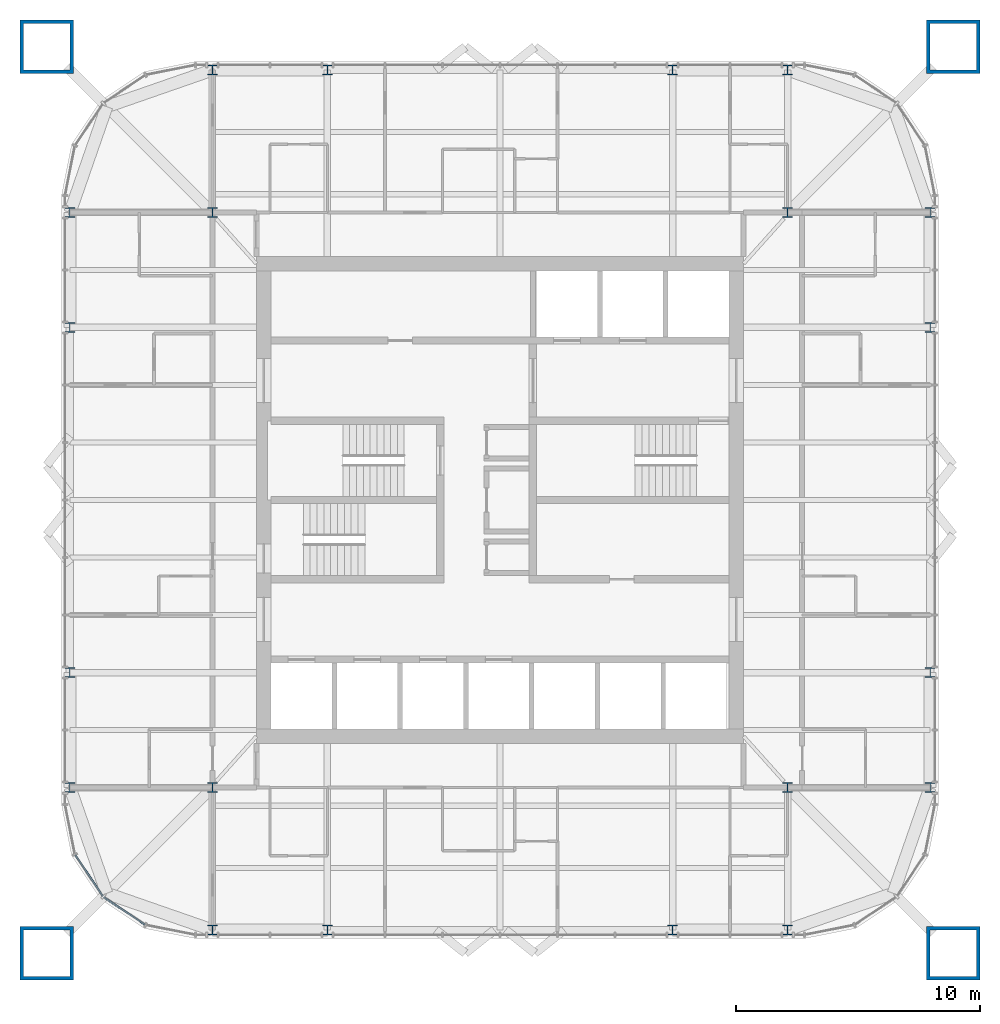
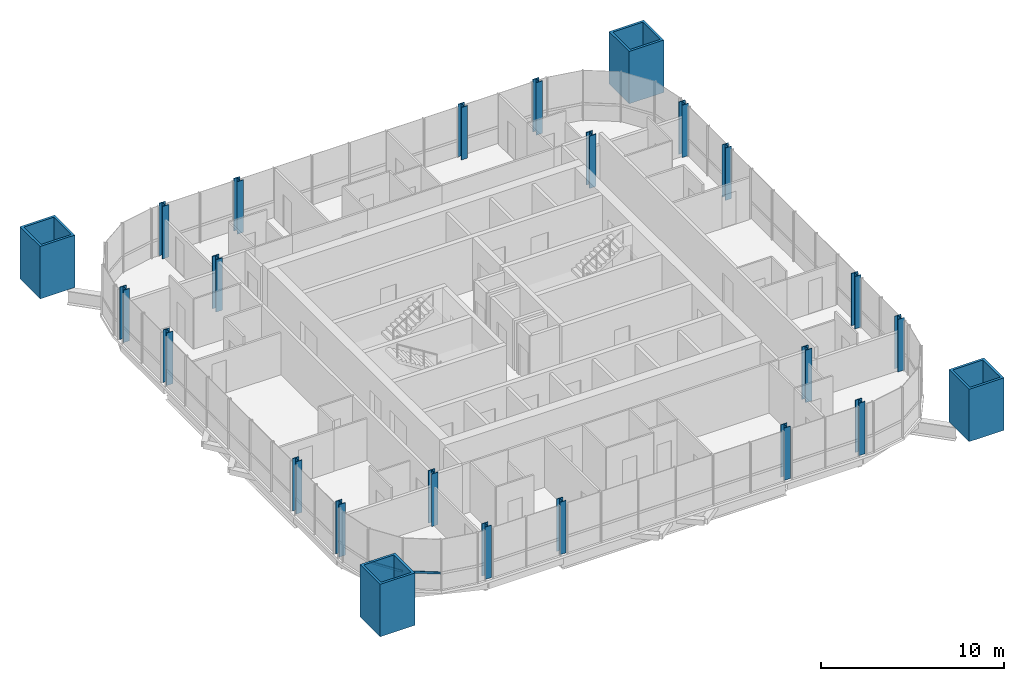
# One storey, part 1 of 17: 24 columns, 2 members, 1 element without a shape of its own.
"""IFC4 building model written with IfcOpenShell, lengths in metres."""

from ifc_helpers import new_model, si_unit, direction, frame, origin, origin_2d, place, context, subcontext, project, spatial, rectangle, hollow_rectangle, i_section, extrude, material, material_profile, profile_set, type_object, element, aggregate, save


model = new_model("IFC4")

# Units and contexts
model_context = context("Model", 3, precision=1e-05, world=origin(), true_north=direction((0.0, 1.0)))
body_context = subcontext(model_context, "Body", "Model", "MODEL_VIEW")
ifc_project = project(units=[si_unit("LENGTHUNIT", "METRE"), si_unit("AREAUNIT", "SQUARE_METRE"), si_unit("VOLUMEUNIT", "CUBIC_METRE"), si_unit("PLANEANGLEUNIT", "RADIAN"), si_unit("MASSUNIT", "GRAM", prefix="KILO")], contexts=[model_context])

# Site, building, storey
site_placement = place(None, origin())
site = spatial("IfcSite", under=ifc_project, at=site_placement, CompositionType="ELEMENT")
building_placement = place(site_placement, origin())
building = spatial("IfcBuilding", under=site, at=building_placement, Name="Turquesa Mirador Hotel Tower", CompositionType="ELEMENT")
storey_placement = place(building_placement, frame((0.0, 0.0, 247.699951171875)))
storey = spatial("IfcBuildingStorey", under=building, at=storey_placement, Name="L67", CompositionType="ELEMENT", Elevation=247.699951171875)

# Columns
ifc_material_1 = material(Name="Steel ASTM A992 Grade 50", Category="steel")
ifc_material_profile_1 = material_profile(ifc_material_1, i_section(OverallWidth=0.398681640625, OverallDepth=0.393798828125, WebThickness=0.022705078125, FlangeThickness=0.03662109375, at=origin_2d()), Name="W14X193")
ifc_profile_set_1 = profile_set([ifc_material_profile_1], Name="Steel ASTM A992 Grade 50")
column_type_1 = type_object("IfcColumnType", Name="COLUMN W14X193", PredefinedType="COLUMN", material=ifc_profile_set_1)
for number, where, z_axis, x_axis, name in (
    (1, (37.35009765625, 33.199951171875, 0.0), (0.0, 0.0, 1.0), (1.0, 0.0, 0.0), "COL-L67-P--17.65--11.80"),
    (2, (37.35009765625, 37.919921875, 0.0), (0.0, 0.0, 1.0), (1.0, 0.0, 0.0), "COL-L67-P--17.65--7.08"),
    (3, (37.35009765625, 52.080078125, 0.0), (0.0, 0.0, 1.0), (1.0, 0.0, 0.0), "COL-L67-P--17.65-+7.08"),
    (4, (37.35009765625, 56.800048828125, 0.0), (0.0, 0.0, 1.0), (1.0, 0.0, 0.0), "COL-L67-P--17.65-+11.80"),
    (5, (43.199951171875, 27.35009765625, 0.0), (0.0, 0.0, 1.0), (1.0, 0.0, 0.0), "COL-L67-P--11.80--17.65"),
    (6, (43.199951171875, 62.64990234375, 0.0), (0.0, 0.0, 1.0), (1.0, 0.0, 0.0), "COL-L67-P--11.80-+17.65"),
    (7, (47.919921875, 27.35009765625, 0.0), (0.0, 0.0, 1.0), (1.0, 0.0, 0.0), "COL-L67-P--7.08--17.65"),
    (8, (47.919921875, 62.64990234375, 0.0), (0.0, 0.0, 1.0), (1.0, 0.0, 0.0), "COL-L67-P--7.08-+17.65"),
    (9, (62.080078125, 27.35009765625, 0.0), (0.0, 0.0, 1.0), (1.0, 0.0, 0.0), "COL-L67-P-+7.08--17.65"),
    (10, (62.080078125, 62.64990234375, 0.0), (0.0, 0.0, 1.0), (1.0, 0.0, 0.0), "COL-L67-P-+7.08-+17.65"),
    (11, (66.800048828125, 27.35009765625, 0.0), (0.0, 0.0, 1.0), (1.0, 0.0, 0.0), "COL-L67-P-+11.80--17.65"),
    (12, (66.800048828125, 62.64990234375, 0.0), (0.0, 0.0, 1.0), (1.0, 0.0, 0.0), "COL-L67-P-+11.80-+17.65"),
    (13, (72.64990234375, 33.199951171875, 0.0), (0.0, 0.0, 1.0), (1.0, 0.0, 0.0), "COL-L67-P-+17.65--11.80"),
    (14, (72.64990234375, 37.919921875, 0.0), (0.0, 0.0, 1.0), (1.0, 0.0, 0.0), "COL-L67-P-+17.65--7.08"),
    (15, (72.64990234375, 52.080078125, 0.0), (0.0, 0.0, 1.0), (1.0, 0.0, 0.0), "COL-L67-P-+17.65-+7.08"),
    (16, (72.64990234375, 56.800048828125, 0.0), (0.0, 0.0, 1.0), (1.0, 0.0, 0.0), "COL-L67-P-+17.65-+11.80"),
):
    element("IfcColumn", number, at=place(storey_placement, frame(where, z_axis=z_axis, x_axis=x_axis)), inside=storey, type_object=column_type_1, Name=name, PredefinedType="COLUMN", context=body_context, shape_type="SweptSolid", body=[
        extrude(i_section(OverallWidth=0.398681640625, OverallDepth=0.393798828125, WebThickness=0.022705078125, FlangeThickness=0.03662109375, at=origin_2d()), origin(), (0.0, 0.0, 1.0), 3.5),
    ])
ifc_material_2 = material(Name="Steel ASTM A992 Grade 50", Category="steel")
ifc_material_profile_2 = material_profile(ifc_material_2, i_section(OverallWidth=0.406494140625, OverallDepth=0.41650390625, WebThickness=0.030029296875, FlangeThickness=0.048095703125, at=origin_2d()), Name="W14X257")
ifc_profile_set_2 = profile_set([ifc_material_profile_2], Name="Steel ASTM A992 Grade 50")
column_type_2 = type_object("IfcColumnType", Name="COLUMN W14X257", PredefinedType="COLUMN", material=ifc_profile_set_2)
for number, where, z_axis, x_axis, name in (
    (17, (43.199951171875, 33.199951171875, 0.0), (0.0, 0.0, 1.0), (1.0, 0.0, 0.0), "COL-L67-K--11.80--11.80"),
    (18, (43.199951171875, 56.800048828125, 0.0), (0.0, 0.0, 1.0), (1.0, 0.0, 0.0), "COL-L67-K--11.80-+11.80"),
    (19, (66.800048828125, 33.199951171875, 0.0), (0.0, 0.0, 1.0), (1.0, 0.0, 0.0), "COL-L67-K-+11.80--11.80"),
    (20, (66.800048828125, 56.800048828125, 0.0), (0.0, 0.0, 1.0), (1.0, 0.0, 0.0), "COL-L67-K-+11.80-+11.80"),
):
    element("IfcColumn", number, at=place(storey_placement, frame(where, z_axis=z_axis, x_axis=x_axis)), inside=storey, type_object=column_type_2, Name=name, PredefinedType="COLUMN", context=body_context, shape_type="SweptSolid", body=[
        extrude(i_section(OverallWidth=0.406494140625, OverallDepth=0.41650390625, WebThickness=0.030029296875, FlangeThickness=0.048095703125, at=origin_2d()), origin(), (0.0, 0.0, 1.0), 3.5),
    ])
ifc_material_3 = material(Name="Steel ASTM A514 Grade Q", Category="steel")
ifc_material_profile_3 = material_profile(ifc_material_3, hollow_rectangle(XDim=2.199951171875, YDim=2.199951171875, WallThickness=0.14990234375, at=origin_2d()), Name="BOX2200X2200X150")
ifc_profile_set_3 = profile_set([ifc_material_profile_3], Name="Steel ASTM A514 Grade Q")
column_type_3 = type_object("IfcColumnType", Name="MEGA COLUMN BOX2200X2200X150", PredefinedType="COLUMN", material=ifc_profile_set_3)
for number, where, z_axis, x_axis, name in (
    (21, (73.60009765625, 63.60009765625, 0.0), (0.0, 0.0, 1.0), (1.0, 0.0, 0.0), "Mega column M1"),
    (22, (36.39990234375, 63.60009765625, 0.0), (0.0, 0.0, 1.0), (1.0, 0.0, 0.0), "Mega column M2"),
    (23, (36.39990234375, 26.39990234375, 0.0), (0.0, 0.0, 1.0), (1.0, 0.0, 0.0), "Mega column M3"),
    (24, (73.60009765625, 26.39990234375, 0.0), (0.0, 0.0, 1.0), (1.0, 0.0, 0.0), "Mega column M4"),
):
    element("IfcColumn", number, at=place(storey_placement, frame(where, z_axis=z_axis, x_axis=x_axis)), inside=storey, type_object=column_type_3, Name=name, PredefinedType="COLUMN", context=body_context, shape_type="SweptSolid", body=[
        extrude(hollow_rectangle(XDim=2.199951171875, YDim=2.199951171875, WallThickness=0.14990234375, at=origin_2d()), origin(), (0.0, 0.0, 1.0), 3.5),
    ])

# Curtain wall, members
ifc_material_4 = material(Name="Aluminium extrusion", Category="aluminium")
curtain_wall_type = type_object("IfcCurtainWallType", Name="CW-4 SUITE FRITTED CURTAIN WALL", PredefinedType="USERDEFINED", material=ifc_material_4)
curtain_wall_placement = place(storey_placement, origin())
curtain_wall = element("IfcCurtainWall", 25, at=curtain_wall_placement, inside=storey, type_object=curtain_wall_type, Name="CW-4 SUITE FRITTED CURTAIN WALL L67", ObjectType="CURTAIN WALL", PredefinedType="USERDEFINED")
ifc_material_5 = material(Name="Aluminium extrusion", Category="aluminium")
ifc_material_profile_4 = material_profile(ifc_material_5, rectangle(XDim=0.06494140625, YDim=0.14990234375, at=origin_2d()), Name="TRANSOM 65X150")
ifc_profile_set_4 = profile_set([ifc_material_profile_4], Name="Aluminium extrusion")
member_type = type_object("IfcMemberType", Name="CW TRANSOM 65X150", PredefinedType="USERDEFINED", material=ifc_profile_set_4)
member_1_placement = place(storey_placement, frame((37.5751953125, 30.425537109375, 1.10009765625), z_axis=(0.555619095835, -0.831436961136, 0.0), x_axis=(0.831436961136, 0.555619095835, 0.0)))
member_1 = element("IfcMember", 26, at=member_1_placement, type_object=member_type, Name="Transom", ObjectType="TRANSOM", PredefinedType="USERDEFINED", context=body_context, shape_type="SweptSolid", body=[
    extrude(rectangle(XDim=0.06494140625, YDim=0.14990234375, at=origin_2d()), origin(), (0.0, 0.0, 1.0), 2.0224609375),
])
member_2_placement = place(storey_placement, frame((38.743896484375, 28.698974609375, 1.10009765625), z_axis=(0.831436961136, -0.555619095835, 0.0), x_axis=(0.555619095835, 0.831436961136, 0.0)))
member_2 = element("IfcMember", 27, at=member_2_placement, type_object=member_type, Name="Transom", ObjectType="TRANSOM", PredefinedType="USERDEFINED", context=body_context, shape_type="SweptSolid", body=[
    extrude(rectangle(XDim=0.06494140625, YDim=0.14990234375, at=origin_2d()), origin(), (0.0, 0.0, 1.0), 2.0224609375),
])
aggregate(curtain_wall, [member_1, member_2])

save(model, "model.ifc")
